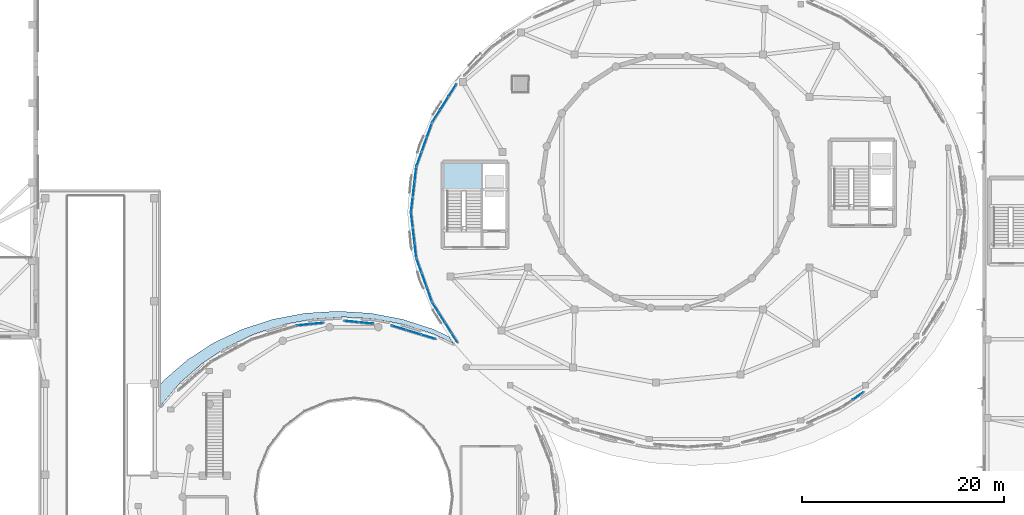
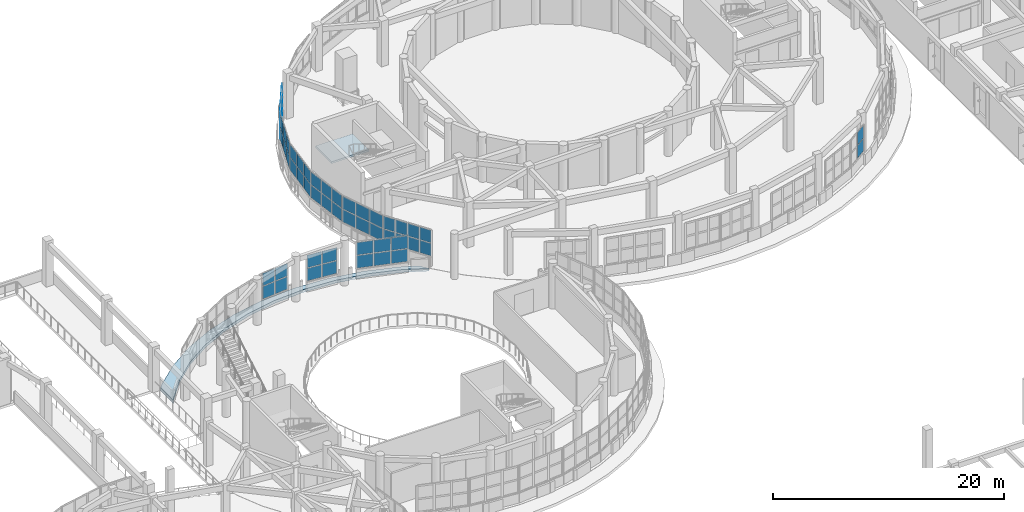
# One storey, part 63 of 98: 54 plates, 2 slabs, 11 elements without a shape of their own.
"""IFC4 building model written with IfcOpenShell, lengths in metres."""

from ifc_helpers import new_model, si_unit, direction, frame, origin, origin_2d, place, context, subcontext, project, spatial, polyline, rectangle, outline, extrude, material, layer, layer_set, type_object, element, aggregate, save


model = new_model("IFC4")

# Units and contexts
model_context = context("Model", 3, precision=1e-05, world=origin(), true_north=direction((0.0, 1.0)))
body_context = subcontext(model_context, "Body", "Model", "MODEL_VIEW")
ifc_project = project(units=[si_unit("LENGTHUNIT", "METRE"), si_unit("AREAUNIT", "SQUARE_METRE"), si_unit("VOLUMEUNIT", "CUBIC_METRE"), si_unit("PLANEANGLEUNIT", "RADIAN"), si_unit("MASSUNIT", "GRAM", prefix="KILO")], contexts=[model_context])

# Site, building, storey
site_placement = place(None, origin())
site = spatial("IfcSite", under=ifc_project, at=site_placement, CompositionType="ELEMENT")
building_placement = place(site_placement, origin())
building = spatial("IfcBuilding", under=site, at=building_placement, Name="Pelvatis Terrace Science Centre", CompositionType="ELEMENT")
storey_placement = place(building_placement, frame((0.0, 0.0, 5.39990234375)))
storey = spatial("IfcBuildingStorey", under=building, at=storey_placement, Name="L01", CompositionType="ELEMENT", Elevation=5.39990234375)

# Curtain wall, plates
ifc_material_1 = material(Name="Bronze-anodised aluminium and laminated glass", Category="aluminium")
ifc_layer_1 = layer(ifc_material_1, 0.199951171875)
ifc_layer_set_1 = layer_set([ifc_layer_1], Name="Bronze-anodised aluminium and laminated glass")
curtain_wall_type = type_object("IfcCurtainWallType", Name="CW-RIBBON-B", PredefinedType="NOTDEFINED", material=ifc_layer_set_1)
curtain_wall_1_placement = place(storey_placement, origin())
curtain_wall_1 = element("IfcCurtainWall", 1, at=curtain_wall_1_placement, inside=storey, type_object=curtain_wall_type, Name="Ribbon curtain wall CW-062 (L01)", PredefinedType="NOTDEFINED")
ifc_material_2 = material(Name="Low-e laminated solar-control double glazing", Category="glass")
ifc_layer_2 = layer(ifc_material_2, 0.031982421875)
ifc_layer_set_2 = layer_set([ifc_layer_2], Name="Low-e laminated solar-control double glazing")
plate_type = type_object("IfcPlateType", Name="CWP-IGU-32", PredefinedType="CURTAIN_PANEL", material=ifc_layer_set_2)
plate_1_placement = place(storey_placement, frame((85.376220703125, 70.463623046875, 1.0849609375), z_axis=(0.0, 0.0, 1.0), x_axis=(-0.956494312302, 0.291750973492, 0.0)))
plate_1 = element("IfcPlate", 2, at=plate_1_placement, type_object=plate_type, Name="CW-062 panel 1.1", PredefinedType="CURTAIN_PANEL", context=body_context, shape_type="SweptSolid", body=[
    extrude(rectangle(XDim=1.453125, YDim=0.031982421875, at=origin_2d()), origin(), (0.0, 0.0, 1.0), 1.322509765625),
])
plate_2_placement = place(storey_placement, frame((85.376220703125, 70.463623046875, 2.47265625), z_axis=(0.0, 0.0, 1.0), x_axis=(-0.956494312302, 0.291750973492, 0.0)))
plate_2 = element("IfcPlate", 3, at=plate_2_placement, type_object=plate_type, Name="CW-062 panel 1.2", PredefinedType="CURTAIN_PANEL", context=body_context, shape_type="SweptSolid", body=[
    extrude(rectangle(XDim=1.453125, YDim=0.031982421875, at=origin_2d()), origin(), (0.0, 0.0, 1.0), 1.322509765625),
])
plate_3_placement = place(storey_placement, frame((83.90869140625, 70.911376953125, 1.0849609375), z_axis=(0.0, 0.0, 1.0), x_axis=(-0.956494312302, 0.291750973492, 0.0)))
plate_3 = element("IfcPlate", 4, at=plate_3_placement, type_object=plate_type, Name="CW-062 panel 2.1", PredefinedType="CURTAIN_PANEL", context=body_context, shape_type="SweptSolid", body=[
    extrude(rectangle(XDim=1.485595703125, YDim=0.031982421875, at=origin_2d()), origin(), (0.0, 0.0, 1.0), 1.322509765625),
])
plate_4_placement = place(storey_placement, frame((83.90869140625, 70.911376953125, 2.47265625), z_axis=(0.0, 0.0, 1.0), x_axis=(-0.956494312302, 0.291750973492, 0.0)))
plate_4 = element("IfcPlate", 5, at=plate_4_placement, type_object=plate_type, Name="CW-062 panel 2.2", PredefinedType="CURTAIN_PANEL", context=body_context, shape_type="SweptSolid", body=[
    extrude(rectangle(XDim=1.485595703125, YDim=0.031982421875, at=origin_2d()), origin(), (0.0, 0.0, 1.0), 1.322509765625),
])
plate_5_placement = place(storey_placement, frame((82.441162109375, 71.35888671875, 1.0849609375), z_axis=(0.0, 0.0, 1.0), x_axis=(-0.956494312302, 0.291750973492, 0.0)))
plate_5 = element("IfcPlate", 6, at=plate_5_placement, type_object=plate_type, Name="CW-062 panel 3.1", PredefinedType="CURTAIN_PANEL", context=body_context, shape_type="SweptSolid", body=[
    extrude(rectangle(XDim=1.453125, YDim=0.031982421875, at=origin_2d()), origin(), (0.0, 0.0, 1.0), 1.322509765625),
])
plate_6_placement = place(storey_placement, frame((82.441162109375, 71.35888671875, 2.47265625), z_axis=(0.0, 0.0, 1.0), x_axis=(-0.956494312302, 0.291750973492, 0.0)))
plate_6 = element("IfcPlate", 7, at=plate_6_placement, type_object=plate_type, Name="CW-062 panel 3.2", PredefinedType="CURTAIN_PANEL", context=body_context, shape_type="SweptSolid", body=[
    extrude(rectangle(XDim=1.453125, YDim=0.031982421875, at=origin_2d()), origin(), (0.0, 0.0, 1.0), 1.322509765625),
])
aggregate(curtain_wall_1, [plate_1, plate_2, plate_3, plate_4, plate_5, plate_6])

curtain_wall_2_placement = place(storey_placement, origin())
curtain_wall_2 = element("IfcCurtainWall", 8, at=curtain_wall_2_placement, inside=storey, type_object=curtain_wall_type, Name="Ribbon curtain wall CW-063 (L01)", PredefinedType="NOTDEFINED")
plate_7_placement = place(storey_placement, frame((79.196044921875, 71.834228515625, 1.0849609375), z_axis=(0.0, 0.0, 1.0), x_axis=(-0.995211679148, 0.097743100464, 0.0)))
plate_7 = element("IfcPlate", 9, at=plate_7_placement, type_object=plate_type, Name="CW-063 panel 1.1", PredefinedType="CURTAIN_PANEL", context=body_context, shape_type="SweptSolid", body=[
    extrude(rectangle(XDim=1.384521484375, YDim=0.031982421875, at=origin_2d()), origin(), (0.0, 0.0, 1.0), 1.322509765625),
])
plate_8_placement = place(storey_placement, frame((79.196044921875, 71.834228515625, 2.47265625), z_axis=(0.0, 0.0, 1.0), x_axis=(-0.995211679148, 0.097743100464, 0.0)))
plate_8 = element("IfcPlate", 10, at=plate_8_placement, type_object=plate_type, Name="CW-063 panel 1.2", PredefinedType="CURTAIN_PANEL", context=body_context, shape_type="SweptSolid", body=[
    extrude(rectangle(XDim=1.384521484375, YDim=0.031982421875, at=origin_2d()), origin(), (0.0, 0.0, 1.0), 1.322509765625),
])
plate_9_placement = place(storey_placement, frame((77.753662109375, 71.97607421875, 1.0849609375), z_axis=(0.0, 0.0, 1.0), x_axis=(-0.995211679148, 0.097743100464, 0.0)))
plate_9 = element("IfcPlate", 11, at=plate_9_placement, type_object=plate_type, Name="CW-063 panel 2.1", PredefinedType="CURTAIN_PANEL", context=body_context, shape_type="SweptSolid", body=[
    extrude(rectangle(XDim=1.384521484375, YDim=0.031982421875, at=origin_2d()), origin(), (0.0, 0.0, 1.0), 1.322509765625),
])
plate_10_placement = place(storey_placement, frame((77.753662109375, 71.97607421875, 2.47265625), z_axis=(0.0, 0.0, 1.0), x_axis=(-0.995211679148, 0.097743100464, 0.0)))
plate_10 = element("IfcPlate", 12, at=plate_10_placement, type_object=plate_type, Name="CW-063 panel 2.2", PredefinedType="CURTAIN_PANEL", context=body_context, shape_type="SweptSolid", body=[
    extrude(rectangle(XDim=1.384521484375, YDim=0.031982421875, at=origin_2d()), origin(), (0.0, 0.0, 1.0), 1.322509765625),
])
aggregate(curtain_wall_2, [plate_7, plate_8, plate_9, plate_10])

curtain_wall_3_placement = place(storey_placement, origin())
curtain_wall_3 = element("IfcCurtainWall", 13, at=curtain_wall_3_placement, inside=storey, type_object=curtain_wall_type, Name="Ribbon curtain wall CW-064 (L01)", PredefinedType="NOTDEFINED")
plate_11_placement = place(storey_placement, frame((74.33984375, 71.788818359375, 1.0849609375), z_axis=(0.0, 0.0, 1.0), x_axis=(-0.995209557198, -0.097764703562, 0.0)))
plate_11 = element("IfcPlate", 14, at=plate_11_placement, type_object=plate_type, Name="CW-064 panel 1.1", PredefinedType="CURTAIN_PANEL", context=body_context, shape_type="SweptSolid", body=[
    extrude(rectangle(XDim=1.26904296875, YDim=0.031982421875, at=origin_2d()), origin(), (0.0, 0.0, 1.0), 1.322509765625),
])
plate_12_placement = place(storey_placement, frame((74.33984375, 71.788818359375, 2.47265625), z_axis=(0.0, 0.0, 1.0), x_axis=(-0.995209557198, -0.097764703562, 0.0)))
plate_12 = element("IfcPlate", 15, at=plate_12_placement, type_object=plate_type, Name="CW-064 panel 1.2", PredefinedType="CURTAIN_PANEL", context=body_context, shape_type="SweptSolid", body=[
    extrude(rectangle(XDim=1.26904296875, YDim=0.031982421875, at=origin_2d()), origin(), (0.0, 0.0, 1.0), 1.322509765625),
])
plate_13_placement = place(storey_placement, frame((73.011962890625, 71.658203125, 1.0849609375), z_axis=(0.0, 0.0, 1.0), x_axis=(-0.995209557198, -0.097764703562, 0.0)))
plate_13 = element("IfcPlate", 16, at=plate_13_placement, type_object=plate_type, Name="CW-064 panel 2.1", PredefinedType="CURTAIN_PANEL", context=body_context, shape_type="SweptSolid", body=[
    extrude(rectangle(XDim=1.26904296875, YDim=0.031982421875, at=origin_2d()), origin(), (0.0, 0.0, 1.0), 1.322509765625),
])
plate_14_placement = place(storey_placement, frame((73.011962890625, 71.658203125, 2.47265625), z_axis=(0.0, 0.0, 1.0), x_axis=(-0.995209557198, -0.097764703562, 0.0)))
plate_14 = element("IfcPlate", 17, at=plate_14_placement, type_object=plate_type, Name="CW-064 panel 2.2", PredefinedType="CURTAIN_PANEL", context=body_context, shape_type="SweptSolid", body=[
    extrude(rectangle(XDim=1.26904296875, YDim=0.031982421875, at=origin_2d()), origin(), (0.0, 0.0, 1.0), 1.322509765625),
])
aggregate(curtain_wall_3, [plate_11, plate_12, plate_13, plate_14])

curtain_wall_4_placement = place(storey_placement, origin())
curtain_wall_4 = element("IfcCurtainWall", 18, at=curtain_wall_4_placement, inside=storey, type_object=curtain_wall_type, Name="Ribbon curtain wall CW-138 (L01)", PredefinedType="NOTDEFINED")
plate_15_placement = place(storey_placement, frame((87.74951171875, 94.88232421875, 1.0849609375), z_axis=(0.0, 0.0, 1.0), x_axis=(-0.533685421777, -0.845683079281, 0.0)))
plate_15 = element("IfcPlate", 19, at=plate_15_placement, type_object=plate_type, Name="CW-138 panel 1.1", PredefinedType="CURTAIN_PANEL", context=body_context, shape_type="SweptSolid", body=[
    extrude(rectangle(XDim=1.41552734375, YDim=0.031982421875, at=origin_2d()), origin(), (0.0, 0.0, 1.0), 1.322509765625),
])
plate_16_placement = place(storey_placement, frame((87.74951171875, 94.88232421875, 2.47265625), z_axis=(0.0, 0.0, 1.0), x_axis=(-0.533685421777, -0.845683079281, 0.0)))
plate_16 = element("IfcPlate", 20, at=plate_16_placement, type_object=plate_type, Name="CW-138 panel 1.2", PredefinedType="CURTAIN_PANEL", context=body_context, shape_type="SweptSolid", body=[
    extrude(rectangle(XDim=1.41552734375, YDim=0.031982421875, at=origin_2d()), origin(), (0.0, 0.0, 1.0), 1.322509765625),
])
plate_17_placement = place(storey_placement, frame((86.95068359375, 93.61669921875, 1.0849609375), z_axis=(0.0, 0.0, 1.0), x_axis=(-0.533685421777, -0.845683079281, 0.0)))
plate_17 = element("IfcPlate", 21, at=plate_17_placement, type_object=plate_type, Name="CW-138 panel 2.1", PredefinedType="CURTAIN_PANEL", context=body_context, shape_type="SweptSolid", body=[
    extrude(rectangle(XDim=1.447998046875, YDim=0.031982421875, at=origin_2d()), origin(), (0.0, 0.0, 1.0), 1.322509765625),
])
plate_18_placement = place(storey_placement, frame((86.95068359375, 93.61669921875, 2.47265625), z_axis=(0.0, 0.0, 1.0), x_axis=(-0.533685421777, -0.845683079281, 0.0)))
plate_18 = element("IfcPlate", 22, at=plate_18_placement, type_object=plate_type, Name="CW-138 panel 2.2", PredefinedType="CURTAIN_PANEL", context=body_context, shape_type="SweptSolid", body=[
    extrude(rectangle(XDim=1.447998046875, YDim=0.031982421875, at=origin_2d()), origin(), (0.0, 0.0, 1.0), 1.322509765625),
])
plate_19_placement = place(storey_placement, frame((86.15185546875, 92.350830078125, 1.0849609375), z_axis=(0.0, 0.0, 1.0), x_axis=(-0.533685421777, -0.845683079281, 0.0)))
plate_19 = element("IfcPlate", 23, at=plate_19_placement, type_object=plate_type, Name="CW-138 panel 3.1", PredefinedType="CURTAIN_PANEL", context=body_context, shape_type="SweptSolid", body=[
    extrude(rectangle(XDim=1.41552734375, YDim=0.031982421875, at=origin_2d()), origin(), (0.0, 0.0, 1.0), 1.322509765625),
])
plate_20_placement = place(storey_placement, frame((86.15185546875, 92.350830078125, 2.47265625), z_axis=(0.0, 0.0, 1.0), x_axis=(-0.533685421777, -0.845683079281, 0.0)))
plate_20 = element("IfcPlate", 24, at=plate_20_placement, type_object=plate_type, Name="CW-138 panel 3.2", PredefinedType="CURTAIN_PANEL", context=body_context, shape_type="SweptSolid", body=[
    extrude(rectangle(XDim=1.41552734375, YDim=0.031982421875, at=origin_2d()), origin(), (0.0, 0.0, 1.0), 1.322509765625),
])
aggregate(curtain_wall_4, [plate_15, plate_16, plate_17, plate_18, plate_19, plate_20])

curtain_wall_5_placement = place(storey_placement, origin())
curtain_wall_5 = element("IfcCurtainWall", 25, at=curtain_wall_5_placement, inside=storey, type_object=curtain_wall_type, Name="Ribbon curtain wall CW-139 (L01)", PredefinedType="NOTDEFINED")
plate_21_placement = place(storey_placement, frame((85.4736328125, 90.955078125, 1.0849609375), z_axis=(0.0, 0.0, 1.0), x_axis=(-0.337175823328, -0.941441694511, 0.0)))
plate_21 = element("IfcPlate", 26, at=plate_21_placement, type_object=plate_type, Name="CW-139 panel 1.1", PredefinedType="CURTAIN_PANEL", context=body_context, shape_type="SweptSolid", body=[
    extrude(rectangle(XDim=1.44677734375, YDim=0.031982421875, at=origin_2d()), origin(), (0.0, 0.0, 1.0), 1.322509765625),
])
plate_22_placement = place(storey_placement, frame((85.4736328125, 90.955078125, 2.47265625), z_axis=(0.0, 0.0, 1.0), x_axis=(-0.337175823328, -0.941441694511, 0.0)))
plate_22 = element("IfcPlate", 27, at=plate_22_placement, type_object=plate_type, Name="CW-139 panel 1.2", PredefinedType="CURTAIN_PANEL", context=body_context, shape_type="SweptSolid", body=[
    extrude(rectangle(XDim=1.44677734375, YDim=0.031982421875, at=origin_2d()), origin(), (0.0, 0.0, 1.0), 1.322509765625),
])
plate_23_placement = place(storey_placement, frame((84.95849609375, 89.5166015625, 1.0849609375), z_axis=(0.0, 0.0, 1.0), x_axis=(-0.337175823328, -0.941441694511, 0.0)))
plate_23 = element("IfcPlate", 28, at=plate_23_placement, type_object=plate_type, Name="CW-139 panel 2.1", PredefinedType="CURTAIN_PANEL", context=body_context, shape_type="SweptSolid", body=[
    extrude(rectangle(XDim=1.479248046875, YDim=0.031982421875, at=origin_2d()), origin(), (0.0, 0.0, 1.0), 1.322509765625),
])
plate_24_placement = place(storey_placement, frame((84.95849609375, 89.5166015625, 2.47265625), z_axis=(0.0, 0.0, 1.0), x_axis=(-0.337175823328, -0.941441694511, 0.0)))
plate_24 = element("IfcPlate", 29, at=plate_24_placement, type_object=plate_type, Name="CW-139 panel 2.2", PredefinedType="CURTAIN_PANEL", context=body_context, shape_type="SweptSolid", body=[
    extrude(rectangle(XDim=1.479248046875, YDim=0.031982421875, at=origin_2d()), origin(), (0.0, 0.0, 1.0), 1.322509765625),
])
plate_25_placement = place(storey_placement, frame((84.443115234375, 88.078125, 1.0849609375), z_axis=(0.0, 0.0, 1.0), x_axis=(-0.337175823328, -0.941441694511, 0.0)))
plate_25 = element("IfcPlate", 30, at=plate_25_placement, type_object=plate_type, Name="CW-139 panel 3.1", PredefinedType="CURTAIN_PANEL", context=body_context, shape_type="SweptSolid", body=[
    extrude(rectangle(XDim=1.44677734375, YDim=0.031982421875, at=origin_2d()), origin(), (0.0, 0.0, 1.0), 1.322509765625),
])
plate_26_placement = place(storey_placement, frame((84.443115234375, 88.078125, 2.47265625), z_axis=(0.0, 0.0, 1.0), x_axis=(-0.337175823328, -0.941441694511, 0.0)))
plate_26 = element("IfcPlate", 31, at=plate_26_placement, type_object=plate_type, Name="CW-139 panel 3.2", PredefinedType="CURTAIN_PANEL", context=body_context, shape_type="SweptSolid", body=[
    extrude(rectangle(XDim=1.44677734375, YDim=0.031982421875, at=origin_2d()), origin(), (0.0, 0.0, 1.0), 1.322509765625),
])
aggregate(curtain_wall_5, [plate_21, plate_22, plate_23, plate_24, plate_25, plate_26])

curtain_wall_6_placement = place(storey_placement, origin())
curtain_wall_6 = element("IfcCurtainWall", 32, at=curtain_wall_6_placement, inside=storey, type_object=curtain_wall_type, Name="Ribbon curtain wall CW-140 (L01)", PredefinedType="NOTDEFINED")
plate_27_placement = place(storey_placement, frame((84.087646484375, 86.563720703125, 1.0849609375), z_axis=(0.0, 0.0, 1.0), x_axis=(-0.115496838239, -0.993307847727, 0.0)))
plate_27 = element("IfcPlate", 33, at=plate_27_placement, type_object=plate_type, Name="CW-140 panel 1.1", PredefinedType="CURTAIN_PANEL", context=body_context, shape_type="SweptSolid", body=[
    extrude(rectangle(XDim=1.424560546875, YDim=0.031982421875, at=origin_2d()), origin(), (0.0, 0.0, 1.0), 1.322509765625),
])
plate_28_placement = place(storey_placement, frame((84.087646484375, 86.563720703125, 2.47265625), z_axis=(0.0, 0.0, 1.0), x_axis=(-0.115496838239, -0.993307847727, 0.0)))
plate_28 = element("IfcPlate", 34, at=plate_28_placement, type_object=plate_type, Name="CW-140 panel 1.2", PredefinedType="CURTAIN_PANEL", context=body_context, shape_type="SweptSolid", body=[
    extrude(rectangle(XDim=1.424560546875, YDim=0.031982421875, at=origin_2d()), origin(), (0.0, 0.0, 1.0), 1.322509765625),
])
plate_29_placement = place(storey_placement, frame((83.913818359375, 85.06787109375, 1.0849609375), z_axis=(0.0, 0.0, 1.0), x_axis=(-0.115496838239, -0.993307847727, 0.0)))
plate_29 = element("IfcPlate", 35, at=plate_29_placement, type_object=plate_type, Name="CW-140 panel 2.1", PredefinedType="CURTAIN_PANEL", context=body_context, shape_type="SweptSolid", body=[
    extrude(rectangle(XDim=1.45703125, YDim=0.031982421875, at=origin_2d()), origin(), (0.0, 0.0, 1.0), 1.322509765625),
])
plate_30_placement = place(storey_placement, frame((83.913818359375, 85.06787109375, 2.47265625), z_axis=(0.0, 0.0, 1.0), x_axis=(-0.115496838239, -0.993307847727, 0.0)))
plate_30 = element("IfcPlate", 36, at=plate_30_placement, type_object=plate_type, Name="CW-140 panel 2.2", PredefinedType="CURTAIN_PANEL", context=body_context, shape_type="SweptSolid", body=[
    extrude(rectangle(XDim=1.45703125, YDim=0.031982421875, at=origin_2d()), origin(), (0.0, 0.0, 1.0), 1.322509765625),
])
plate_31_placement = place(storey_placement, frame((83.73974609375, 83.572021484375, 1.0849609375), z_axis=(0.0, 0.0, 1.0), x_axis=(-0.115496838239, -0.993307847727, 0.0)))
plate_31 = element("IfcPlate", 37, at=plate_31_placement, type_object=plate_type, Name="CW-140 panel 3.1", PredefinedType="CURTAIN_PANEL", context=body_context, shape_type="SweptSolid", body=[
    extrude(rectangle(XDim=1.424560546875, YDim=0.031982421875, at=origin_2d()), origin(), (0.0, 0.0, 1.0), 1.322509765625),
])
plate_32_placement = place(storey_placement, frame((83.73974609375, 83.572021484375, 2.47265625), z_axis=(0.0, 0.0, 1.0), x_axis=(-0.115496838239, -0.993307847727, 0.0)))
plate_32 = element("IfcPlate", 38, at=plate_32_placement, type_object=plate_type, Name="CW-140 panel 3.2", PredefinedType="CURTAIN_PANEL", context=body_context, shape_type="SweptSolid", body=[
    extrude(rectangle(XDim=1.424560546875, YDim=0.031982421875, at=origin_2d()), origin(), (0.0, 0.0, 1.0), 1.322509765625),
])
aggregate(curtain_wall_6, [plate_27, plate_28, plate_29, plate_30, plate_31, plate_32])

curtain_wall_7_placement = place(storey_placement, origin())
curtain_wall_7 = element("IfcCurtainWall", 39, at=curtain_wall_7_placement, inside=storey, type_object=curtain_wall_type, Name="Ribbon curtain wall CW-141 (L01)", PredefinedType="NOTDEFINED")
plate_33_placement = place(storey_placement, frame((83.73974609375, 82.02783203125, 1.0849609375), z_axis=(0.0, 0.0, 1.0), x_axis=(0.115496838239, -0.993307847727, 0.0)))
plate_33 = element("IfcPlate", 40, at=plate_33_placement, type_object=plate_type, Name="CW-141 panel 1.1", PredefinedType="CURTAIN_PANEL", context=body_context, shape_type="SweptSolid", body=[
    extrude(rectangle(XDim=1.424560546875, YDim=0.031982421875, at=origin_2d()), origin(), (0.0, 0.0, 1.0), 1.322509765625),
])
plate_34_placement = place(storey_placement, frame((83.73974609375, 82.02783203125, 2.47265625), z_axis=(0.0, 0.0, 1.0), x_axis=(0.115496838239, -0.993307847727, 0.0)))
plate_34 = element("IfcPlate", 41, at=plate_34_placement, type_object=plate_type, Name="CW-141 panel 1.2", PredefinedType="CURTAIN_PANEL", context=body_context, shape_type="SweptSolid", body=[
    extrude(rectangle(XDim=1.424560546875, YDim=0.031982421875, at=origin_2d()), origin(), (0.0, 0.0, 1.0), 1.322509765625),
])
plate_35_placement = place(storey_placement, frame((83.913818359375, 80.531982421875, 1.0849609375), z_axis=(0.0, 0.0, 1.0), x_axis=(0.115496838239, -0.993307847727, 0.0)))
plate_35 = element("IfcPlate", 42, at=plate_35_placement, type_object=plate_type, Name="CW-141 panel 2.1", PredefinedType="CURTAIN_PANEL", context=body_context, shape_type="SweptSolid", body=[
    extrude(rectangle(XDim=1.45703125, YDim=0.031982421875, at=origin_2d()), origin(), (0.0, 0.0, 1.0), 1.322509765625),
])
plate_36_placement = place(storey_placement, frame((83.913818359375, 80.531982421875, 2.47265625), z_axis=(0.0, 0.0, 1.0), x_axis=(0.115496838239, -0.993307847727, 0.0)))
plate_36 = element("IfcPlate", 43, at=plate_36_placement, type_object=plate_type, Name="CW-141 panel 2.2", PredefinedType="CURTAIN_PANEL", context=body_context, shape_type="SweptSolid", body=[
    extrude(rectangle(XDim=1.45703125, YDim=0.031982421875, at=origin_2d()), origin(), (0.0, 0.0, 1.0), 1.322509765625),
])
plate_37_placement = place(storey_placement, frame((84.087646484375, 79.036376953125, 1.0849609375), z_axis=(0.0, 0.0, 1.0), x_axis=(0.115496838239, -0.993307847727, 0.0)))
plate_37 = element("IfcPlate", 44, at=plate_37_placement, type_object=plate_type, Name="CW-141 panel 3.1", PredefinedType="CURTAIN_PANEL", context=body_context, shape_type="SweptSolid", body=[
    extrude(rectangle(XDim=1.424560546875, YDim=0.031982421875, at=origin_2d()), origin(), (0.0, 0.0, 1.0), 1.322509765625),
])
plate_38_placement = place(storey_placement, frame((84.087646484375, 79.036376953125, 2.47265625), z_axis=(0.0, 0.0, 1.0), x_axis=(0.115496838239, -0.993307847727, 0.0)))
plate_38 = element("IfcPlate", 45, at=plate_38_placement, type_object=plate_type, Name="CW-141 panel 3.2", PredefinedType="CURTAIN_PANEL", context=body_context, shape_type="SweptSolid", body=[
    extrude(rectangle(XDim=1.424560546875, YDim=0.031982421875, at=origin_2d()), origin(), (0.0, 0.0, 1.0), 1.322509765625),
])
aggregate(curtain_wall_7, [plate_33, plate_34, plate_35, plate_36, plate_37, plate_38])

curtain_wall_8_placement = place(storey_placement, origin())
curtain_wall_8 = element("IfcCurtainWall", 46, at=curtain_wall_8_placement, inside=storey, type_object=curtain_wall_type, Name="Ribbon curtain wall CW-142 (L01)", PredefinedType="NOTDEFINED")
plate_39_placement = place(storey_placement, frame((84.443115234375, 77.52197265625, 1.0849609375), z_axis=(0.0, 0.0, 1.0), x_axis=(0.337175823328, -0.941441694511, 0.0)))
plate_39 = element("IfcPlate", 47, at=plate_39_placement, type_object=plate_type, Name="CW-142 panel 1.1", PredefinedType="CURTAIN_PANEL", context=body_context, shape_type="SweptSolid", body=[
    extrude(rectangle(XDim=1.44677734375, YDim=0.031982421875, at=origin_2d()), origin(), (0.0, 0.0, 1.0), 1.322509765625),
])
plate_40_placement = place(storey_placement, frame((84.443115234375, 77.52197265625, 2.47265625), z_axis=(0.0, 0.0, 1.0), x_axis=(0.337175823328, -0.941441694511, 0.0)))
plate_40 = element("IfcPlate", 48, at=plate_40_placement, type_object=plate_type, Name="CW-142 panel 1.2", PredefinedType="CURTAIN_PANEL", context=body_context, shape_type="SweptSolid", body=[
    extrude(rectangle(XDim=1.44677734375, YDim=0.031982421875, at=origin_2d()), origin(), (0.0, 0.0, 1.0), 1.322509765625),
])
plate_41_placement = place(storey_placement, frame((84.95849609375, 76.08349609375, 1.0849609375), z_axis=(0.0, 0.0, 1.0), x_axis=(0.337175823328, -0.941441694511, 0.0)))
plate_41 = element("IfcPlate", 49, at=plate_41_placement, type_object=plate_type, Name="CW-142 panel 2.1", PredefinedType="CURTAIN_PANEL", context=body_context, shape_type="SweptSolid", body=[
    extrude(rectangle(XDim=1.479248046875, YDim=0.031982421875, at=origin_2d()), origin(), (0.0, 0.0, 1.0), 1.322509765625),
])
plate_42_placement = place(storey_placement, frame((84.95849609375, 76.08349609375, 2.47265625), z_axis=(0.0, 0.0, 1.0), x_axis=(0.337175823328, -0.941441694511, 0.0)))
plate_42 = element("IfcPlate", 50, at=plate_42_placement, type_object=plate_type, Name="CW-142 panel 2.2", PredefinedType="CURTAIN_PANEL", context=body_context, shape_type="SweptSolid", body=[
    extrude(rectangle(XDim=1.479248046875, YDim=0.031982421875, at=origin_2d()), origin(), (0.0, 0.0, 1.0), 1.322509765625),
])
plate_43_placement = place(storey_placement, frame((85.4736328125, 74.644775390625, 1.0849609375), z_axis=(0.0, 0.0, 1.0), x_axis=(0.337175823328, -0.941441694511, 0.0)))
plate_43 = element("IfcPlate", 51, at=plate_43_placement, type_object=plate_type, Name="CW-142 panel 3.1", PredefinedType="CURTAIN_PANEL", context=body_context, shape_type="SweptSolid", body=[
    extrude(rectangle(XDim=1.44677734375, YDim=0.031982421875, at=origin_2d()), origin(), (0.0, 0.0, 1.0), 1.322509765625),
])
plate_44_placement = place(storey_placement, frame((85.4736328125, 74.644775390625, 2.47265625), z_axis=(0.0, 0.0, 1.0), x_axis=(0.337175823328, -0.941441694511, 0.0)))
plate_44 = element("IfcPlate", 52, at=plate_44_placement, type_object=plate_type, Name="CW-142 panel 3.2", PredefinedType="CURTAIN_PANEL", context=body_context, shape_type="SweptSolid", body=[
    extrude(rectangle(XDim=1.44677734375, YDim=0.031982421875, at=origin_2d()), origin(), (0.0, 0.0, 1.0), 1.322509765625),
])
aggregate(curtain_wall_8, [plate_39, plate_40, plate_41, plate_42, plate_43, plate_44])

curtain_wall_9_placement = place(storey_placement, origin())
curtain_wall_9 = element("IfcCurtainWall", 53, at=curtain_wall_9_placement, inside=storey, type_object=curtain_wall_type, Name="Ribbon curtain wall CW-143 (L01)", PredefinedType="NOTDEFINED")
plate_45_placement = place(storey_placement, frame((86.065185546875, 73.386474609375, 1.0849609375), z_axis=(0.0, 0.0, 1.0), x_axis=(0.533692956019, -0.845678324599, 0.0)))
plate_45 = element("IfcPlate", 54, at=plate_45_placement, type_object=plate_type, Name="CW-143 panel 1.1", PredefinedType="CURTAIN_PANEL", context=body_context, shape_type="SweptSolid", body=[
    extrude(rectangle(XDim=1.0908203125, YDim=0.031982421875, at=origin_2d()), origin(), (0.0, 0.0, 1.0), 1.322509765625),
])
plate_46_placement = place(storey_placement, frame((86.065185546875, 73.386474609375, 2.47265625), z_axis=(0.0, 0.0, 1.0), x_axis=(0.533692956019, -0.845678324599, 0.0)))
plate_46 = element("IfcPlate", 55, at=plate_46_placement, type_object=plate_type, Name="CW-143 panel 1.2", PredefinedType="CURTAIN_PANEL", context=body_context, shape_type="SweptSolid", body=[
    extrude(rectangle(XDim=1.0908203125, YDim=0.031982421875, at=origin_2d()), origin(), (0.0, 0.0, 1.0), 1.322509765625),
])
plate_47_placement = place(storey_placement, frame((86.690673828125, 72.395263671875, 1.0849609375), z_axis=(0.0, 0.0, 1.0), x_axis=(0.533692956019, -0.845678324599, 0.0)))
plate_47 = element("IfcPlate", 56, at=plate_47_placement, type_object=plate_type, Name="CW-143 panel 2.1", PredefinedType="CURTAIN_PANEL", context=body_context, shape_type="SweptSolid", body=[
    extrude(rectangle(XDim=1.123291015625, YDim=0.031982421875, at=origin_2d()), origin(), (0.0, 0.0, 1.0), 1.322509765625),
])
plate_48_placement = place(storey_placement, frame((86.690673828125, 72.395263671875, 2.47265625), z_axis=(0.0, 0.0, 1.0), x_axis=(0.533692956019, -0.845678324599, 0.0)))
plate_48 = element("IfcPlate", 57, at=plate_48_placement, type_object=plate_type, Name="CW-143 panel 2.2", PredefinedType="CURTAIN_PANEL", context=body_context, shape_type="SweptSolid", body=[
    extrude(rectangle(XDim=1.123291015625, YDim=0.031982421875, at=origin_2d()), origin(), (0.0, 0.0, 1.0), 1.322509765625),
])
plate_49_placement = place(storey_placement, frame((87.324951171875, 71.390380859375, 1.0849609375), z_axis=(0.0, 0.0, 1.0), x_axis=(0.533692956019, -0.845678324599, 0.0)))
plate_49 = element("IfcPlate", 58, at=plate_49_placement, type_object=plate_type, Name="CW-143 panel 3.1", PredefinedType="CURTAIN_PANEL", context=body_context, shape_type="SweptSolid", body=[
    extrude(rectangle(XDim=1.123291015625, YDim=0.031982421875, at=origin_2d()), origin(), (0.0, 0.0, 1.0), 1.322509765625),
])
plate_50_placement = place(storey_placement, frame((87.324951171875, 71.390380859375, 2.47265625), z_axis=(0.0, 0.0, 1.0), x_axis=(0.533692956019, -0.845678324599, 0.0)))
plate_50 = element("IfcPlate", 59, at=plate_50_placement, type_object=plate_type, Name="CW-143 panel 3.2", PredefinedType="CURTAIN_PANEL", context=body_context, shape_type="SweptSolid", body=[
    extrude(rectangle(XDim=1.123291015625, YDim=0.031982421875, at=origin_2d()), origin(), (0.0, 0.0, 1.0), 1.322509765625),
])
plate_51_placement = place(storey_placement, frame((87.950439453125, 70.399169921875, 1.0849609375), z_axis=(0.0, 0.0, 1.0), x_axis=(0.533692956019, -0.845678324599, 0.0)))
plate_51 = element("IfcPlate", 60, at=plate_51_placement, type_object=plate_type, Name="CW-143 panel 4.1", PredefinedType="CURTAIN_PANEL", context=body_context, shape_type="SweptSolid", body=[
    extrude(rectangle(XDim=1.0908203125, YDim=0.031982421875, at=origin_2d()), origin(), (0.0, 0.0, 1.0), 1.322509765625),
])
plate_52_placement = place(storey_placement, frame((87.950439453125, 70.399169921875, 2.47265625), z_axis=(0.0, 0.0, 1.0), x_axis=(0.533692956019, -0.845678324599, 0.0)))
plate_52 = element("IfcPlate", 61, at=plate_52_placement, type_object=plate_type, Name="CW-143 panel 4.2", PredefinedType="CURTAIN_PANEL", context=body_context, shape_type="SweptSolid", body=[
    extrude(rectangle(XDim=1.0908203125, YDim=0.031982421875, at=origin_2d()), origin(), (0.0, 0.0, 1.0), 1.322509765625),
])
aggregate(curtain_wall_9, [plate_45, plate_46, plate_47, plate_48, plate_49, plate_50, plate_51, plate_52])

curtain_wall_10_placement = place(storey_placement, origin())
curtain_wall_10 = element("IfcCurtainWall", 62, at=curtain_wall_10_placement, inside=storey, type_object=curtain_wall_type, Name="Ribbon curtain wall CW-150 (L01)", PredefinedType="NOTDEFINED")
plate_53_placement = place(storey_placement, frame((127.990234375, 64.608154296875, 1.0849609375), z_axis=(0.0, 0.0, 1.0), x_axis=(0.821107117619, 0.570774124672, 0.0)))
plate_53 = element("IfcPlate", 63, at=plate_53_placement, type_object=plate_type, Name="CW-150 panel 2.1", PredefinedType="CURTAIN_PANEL", context=body_context, shape_type="SweptSolid", body=[
    extrude(rectangle(XDim=1.24462890625, YDim=0.031982421875, at=origin_2d()), origin(), (0.0, 0.0, 1.0), 1.322509765625),
])
plate_54_placement = place(storey_placement, frame((127.990234375, 64.608154296875, 2.47265625), z_axis=(0.0, 0.0, 1.0), x_axis=(0.821107117619, 0.570774124672, 0.0)))
plate_54 = element("IfcPlate", 64, at=plate_54_placement, type_object=plate_type, Name="CW-150 panel 2.2", PredefinedType="CURTAIN_PANEL", context=body_context, shape_type="SweptSolid", body=[
    extrude(rectangle(XDim=1.24462890625, YDim=0.031982421875, at=origin_2d()), origin(), (0.0, 0.0, 1.0), 1.322509765625),
])
aggregate(curtain_wall_10, [plate_53, plate_54])

# Stair, slab
ifc_material_3 = material(Name="Concrete C35/45", Category="concrete")
stair_type = type_object("IfcStairType", Name="STR-2RUN-1500-48", PredefinedType="TWO_STRAIGHT_RUN_STAIR", material=ifc_material_3)
stair_placement = place(storey_placement, origin())
stair = element("IfcStair", 65, at=stair_placement, inside=storey, type_object=stair_type, Name="Protected core stair ST-01-L01", PredefinedType="TWO_STRAIGHT_RUN_STAIR")
ifc_material_4 = material(Name="Concrete C35/45", Category="concrete")
ifc_layer_3 = layer(ifc_material_4, 0.199951171875)
ifc_layer_set_3 = layer_set([ifc_layer_3], Name="Concrete C35/45")
slab_type_1 = type_object("IfcSlabType", Name="SLB-LND-200", PredefinedType="LANDING", material=ifc_layer_set_3)
slab_1_placement = place(storey_placement, frame((0.0, 0.0, 2.2001953125)))
slab_1 = element("IfcSlab", 66, at=slab_1_placement, type_object=slab_type_1, Name="ST-01-L01 landing 1", PredefinedType="LANDING", context=body_context, shape_type="SweptSolid", body=[
    extrude(outline(polyline([(86.929931640625, 84.89990234375), (90.64990234375, 84.89990234375), (90.64990234375, 87.669921875), (86.929931640625, 87.669921875), (86.929931640625, 84.89990234375)])), origin(), (0.0, 0.0, 1.0), 0.199951171875),
])
aggregate(stair, [slab_1])

# Slab
ifc_material_5 = material(Name="Concrete C35/45", Category="concrete")
ifc_layer_4 = layer(ifc_material_5, 0.298095703125)
ifc_layer_set_4 = layer_set([ifc_layer_4], Name="Concrete C35/45")
slab_type_2 = type_object("IfcSlabType", Name="SLB-ROOF-228", PredefinedType="ROOF", material=ifc_layer_set_4)
slab_2_placement = place(storey_placement, frame((0.0, 0.0, -0.2978515625)))
element("IfcSlab", 67, at=slab_2_placement, inside=storey, type_object=slab_type_2, Name="L01 Middle ring spiral step collar roof (sector B)", PredefinedType="ROOF", context=body_context, shape_type="SweptSolid", body=[
    extrude(outline(polyline([(59.1689453125, 66.166259765625), (61.46923828125, 68.163818359375), (64.073486328125, 69.856689453125), (66.928466796875, 71.210693359375), (69.9765625, 72.197998046875), (73.1552734375, 72.798583984375), (76.39990234375, 73.0), (79.644775390625, 72.798583984375), (82.823486328125, 72.197998046875), (85.87158203125, 71.210693359375), (87.404541015625, 70.483642578125), (87.697265625, 70.02880859375), (87.939208984375, 69.75439453125), (85.89599609375, 70.72900390625), (83.035400390625, 71.66162109375), (80.04931640625, 72.229248046875), (77.001220703125, 72.419921875), (73.953369140625, 72.229736328125), (70.96728515625, 71.662109375), (68.10400390625, 70.72900390625), (65.41943359375, 69.447998046875), (62.97509765625, 67.84912109375), (60.813720703125, 65.9609375), (58.98193359375, 63.822998046875), (58.820068359375, 63.564208984375), (58.820068359375, 65.761474609375), (59.1689453125, 66.166259765625)])), origin(), (0.0, 0.0, 1.0), 0.2978515625),
])

save(model, "model.ifc")
